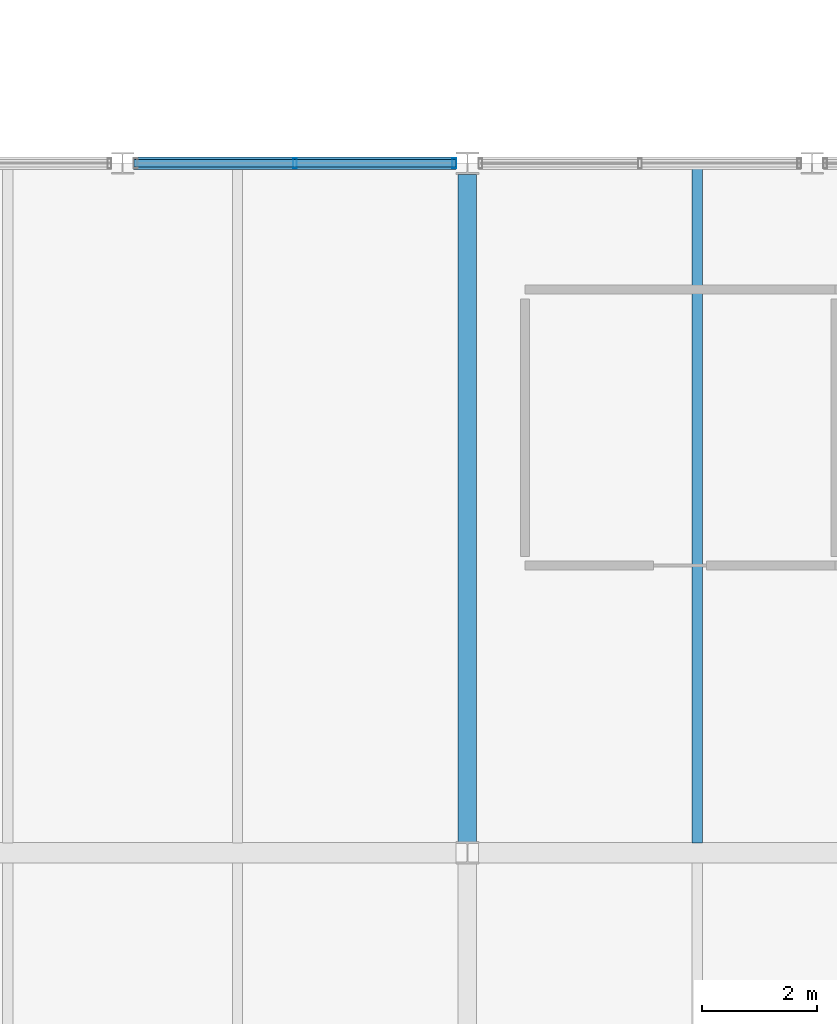
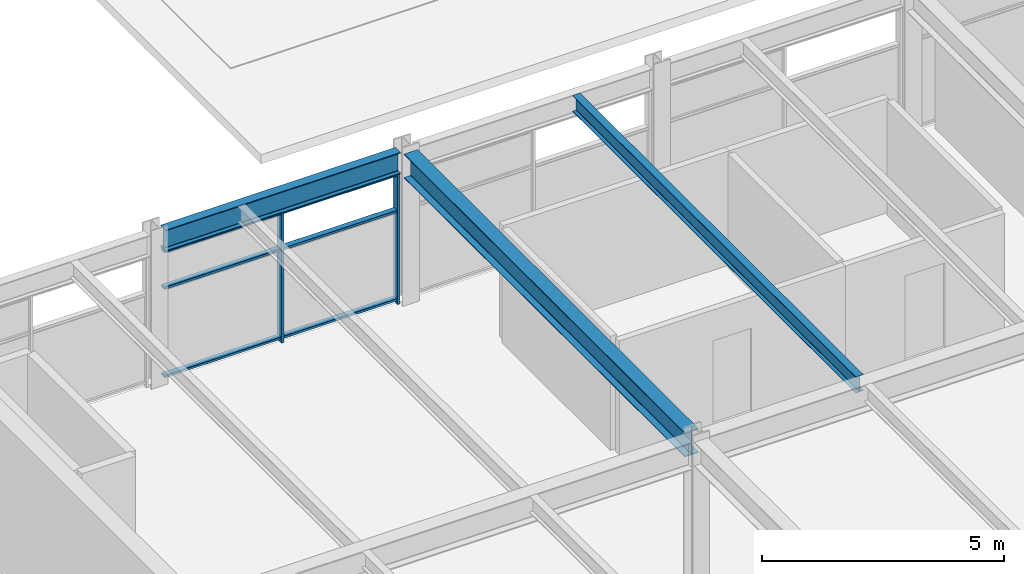
# One storey, part 22 of 49: 5 members, 3 beams, 1 element without a shape of its own.
"""IFC4 building model written with IfcOpenShell, lengths in metres."""

from ifc_helpers import new_model, si_unit, direction, frame, origin, origin_2d, place, context, subcontext, project, spatial, hollow_rectangle, i_section, extrude, material, material_profile, profile_set, type_object, element, aggregate, save


model = new_model("IFC4")

# Units and contexts
model_context = context("Model", 3, precision=1e-05, world=origin(), true_north=direction((0.0, 1.0)))
body_context = subcontext(model_context, "Body", "Model", "MODEL_VIEW")
ifc_project = project(units=[si_unit("LENGTHUNIT", "METRE"), si_unit("AREAUNIT", "SQUARE_METRE"), si_unit("VOLUMEUNIT", "CUBIC_METRE"), si_unit("PLANEANGLEUNIT", "RADIAN"), si_unit("MASSUNIT", "GRAM", prefix="KILO")], contexts=[model_context])

# Site, building, storey
site_placement = place(None, origin())
site = spatial("IfcSite", under=ifc_project, at=site_placement, CompositionType="ELEMENT")
building_placement = place(site_placement, origin())
building = spatial("IfcBuilding", under=site, at=building_placement, Name="Girod Span Mobility Hub", CompositionType="ELEMENT")
storey_placement = place(building_placement, frame((0.0, 0.0, 37.60009765625)))
storey = spatial("IfcBuildingStorey", under=building, at=storey_placement, Name="L09", CompositionType="ELEMENT", Elevation=37.60009765625)

# Beams
ifc_material_1 = material(Name="Steel A992 Grade 50", Category="steel")
ifc_material_profile_1 = material_profile(ifc_material_1, i_section(OverallWidth=0.178955078125, OverallDepth=0.409912109375, WebThickness=0.0087890625, FlangeThickness=0.014404296875, FilletRadius=0.012939453125, at=origin_2d()), Name="W16X45")
ifc_profile_set_1 = profile_set([ifc_material_profile_1], Name="Steel A992 Grade 50")
beam_type_1 = type_object("IfcBeamType", Name="BM-STL-W16X45", PredefinedType="BEAM", material=ifc_profile_set_1)
beam_1_placement = place(storey_placement, frame((76.0, 57.174560546875, 3.6298828125), z_axis=(0.0, 1.0, 0.0), x_axis=(-1.0, 0.0, 0.0)))
element("IfcBeam", 1, at=beam_1_placement, inside=storey, type_object=beam_type_1, Name="Composite Floorbeam 7/E-1 L09", PredefinedType="BEAM", context=body_context, shape_type="SweptSolid", body=[
    extrude(i_section(OverallWidth=0.178955078125, OverallDepth=0.409912109375, WebThickness=0.0087890625, FlangeThickness=0.014404296875, FilletRadius=0.012939453125, at=origin_2d()), origin(), (0.0, 0.0, 1.0), 11.722412109375),
])
ifc_material_2 = material(Name="Steel A992 Grade 50", Category="steel")
ifc_material_profile_2 = material_profile(ifc_material_2, i_section(OverallWidth=0.2119140625, OverallDepth=0.5439453125, WebThickness=0.01318359375, FlangeThickness=0.021240234375, FilletRadius=0.014892578125, at=origin_2d()), Name="W21X83")
ifc_profile_set_2 = profile_set([ifc_material_profile_2], Name="Steel A992 Grade 50")
beam_type_2 = type_object("IfcBeamType", Name="BM-STL-W21X83", PredefinedType="SPANDREL", material=ifc_profile_set_2)
beam_2_placement = place(storey_placement, frame((66.194091796875, 69.0, 3.56298828125), z_axis=(1.0, 0.0, 0.0), x_axis=(0.0, 1.0, 0.0)))
element("IfcBeam", 2, at=beam_2_placement, inside=storey, type_object=beam_type_2, Name="Spandrel Beam 6-7/F-E L09", PredefinedType="SPANDREL", context=body_context, shape_type="SweptSolid", body=[
    extrude(i_section(OverallWidth=0.2119140625, OverallDepth=0.5439453125, WebThickness=0.01318359375, FlangeThickness=0.021240234375, FilletRadius=0.014892578125, at=origin_2d()), origin(), (0.0, 0.0, 1.0), 5.609375),
])
ifc_material_3 = material(Name="Steel A992 Grade 50", Category="steel")
ifc_material_profile_3 = material_profile(ifc_material_3, i_section(OverallWidth=0.323974609375, OverallDepth=0.611083984375, WebThickness=0.0126953125, FlangeThickness=0.01904296875, FilletRadius=0.014892578125, at=origin_2d()), Name="W24X104")
ifc_profile_set_3 = profile_set([ifc_material_profile_3], Name="Steel A992 Grade 50")
beam_type_3 = type_object("IfcBeamType", Name="BM-STL-W24X104", PredefinedType="BEAM", material=ifc_profile_set_3)
beam_3_placement = place(storey_placement, frame((72.0, 57.193603515625, 3.529296875), z_axis=(0.0, 1.0, 0.0), x_axis=(-1.0, 0.0, 0.0)))
element("IfcBeam", 3, at=beam_3_placement, inside=storey, type_object=beam_type_3, Name="Tie Girder 7/E-F L09", PredefinedType="BEAM", context=body_context, shape_type="SweptSolid", body=[
    extrude(i_section(OverallWidth=0.323974609375, OverallDepth=0.611083984375, WebThickness=0.0126953125, FlangeThickness=0.01904296875, FilletRadius=0.014892578125, at=origin_2d()), origin(), (0.0, 0.0, 1.0), 11.61279296875),
])

# Curtain wall, members
ifc_material_4 = material(Name="Thermally Broken Anodised Aluminium", Category="aluminium")
curtain_wall_type = type_object("IfcCurtainWallType", Name="CW-561X329", PredefinedType="USERDEFINED", material=ifc_material_4)
curtain_wall_placement = place(storey_placement, origin())
curtain_wall = element("IfcCurtainWall", 4, at=curtain_wall_placement, inside=storey, type_object=curtain_wall_type, Name="Unitised Curtain Wall CW-L09-N06E L09", ObjectType="UNITISED CURTAIN WALL", PredefinedType="USERDEFINED")
ifc_material_5 = material(Name="Thermally Broken Anodised Aluminium", Category="aluminium")
ifc_material_profile_4 = material_profile(ifc_material_5, hollow_rectangle(XDim=0.179931640625, YDim=0.06494140625, WallThickness=0.00390625, InnerFilletRadius=0.00390625, OuterFilletRadius=0.008056640625, at=origin_2d()), Name="CW-ML-65X180")
ifc_profile_set_4 = profile_set([ifc_material_profile_4], Name="Thermally Broken Anodised Aluminium")
member_type_1 = type_object("IfcMemberType", Name="CWM-ML-2", PredefinedType="MULLION", material=ifc_profile_set_4)
member_1_placement = place(storey_placement, frame((68.998779296875, 69.0, 0.0), z_axis=(0.0, 0.0, 1.0), x_axis=(0.0, 1.0, 0.0)))
member_1 = element("IfcMember", 5, at=member_1_placement, type_object=member_type_1, Name="Curtain Wall Mullion CW-L09-N06E-M1", PredefinedType="MULLION", context=body_context, shape_type="SweptSolid", body=[
    extrude(hollow_rectangle(XDim=0.179931640625, YDim=0.06494140625, WallThickness=0.00390625, InnerFilletRadius=0.00390625, OuterFilletRadius=0.008056640625, at=origin_2d()), origin(), (0.0, 0.0, 1.0), 3.291015625),
])
member_2_placement = place(storey_placement, frame((71.7705078125, 69.0, 0.0), z_axis=(0.0, 0.0, 1.0), x_axis=(0.0, 1.0, 0.0)))
member_2 = element("IfcMember", 6, at=member_2_placement, type_object=member_type_1, Name="Curtain Wall Mullion CW-L09-N06E-M2", PredefinedType="MULLION", context=body_context, shape_type="SweptSolid", body=[
    extrude(hollow_rectangle(XDim=0.179931640625, YDim=0.06494140625, WallThickness=0.00390625, InnerFilletRadius=0.00390625, OuterFilletRadius=0.008056640625, at=origin_2d()), origin(), (0.0, 0.0, 1.0), 3.291015625),
])
ifc_material_6 = material(Name="Thermally Broken Anodised Aluminium", Category="aluminium")
ifc_material_profile_5 = material_profile(ifc_material_6, hollow_rectangle(XDim=0.135009765625, YDim=0.06494140625, WallThickness=0.00390625, InnerFilletRadius=0.00390625, OuterFilletRadius=0.008056640625, at=origin_2d()), Name="CW-TR-65X135")
ifc_profile_set_5 = profile_set([ifc_material_profile_5], Name="Thermally Broken Anodised Aluminium")
member_type_2 = type_object("IfcMemberType", Name="CWM-TR-2", PredefinedType="USERDEFINED", material=ifc_profile_set_5)
member_3_placement = place(storey_placement, frame((66.195068359375, 69.0, 0.107421875), z_axis=(1.0, 0.0, 0.0), x_axis=(0.0, 1.0, 0.0)))
member_3 = element("IfcMember", 7, at=member_3_placement, type_object=member_type_2, Name="Curtain Wall Transom CW-L09-N06E-T1", ObjectType="TRANSOM", PredefinedType="USERDEFINED", context=body_context, shape_type="SweptSolid", body=[
    extrude(hollow_rectangle(XDim=0.135009765625, YDim=0.06494140625, WallThickness=0.00390625, InnerFilletRadius=0.00390625, OuterFilletRadius=0.008056640625, at=origin_2d()), origin(), (0.0, 0.0, 1.0), 5.607421875),
])
member_4_placement = place(storey_placement, frame((66.195068359375, 69.0, 2.3369140625), z_axis=(1.0, 0.0, 0.0), x_axis=(0.0, 1.0, 0.0)))
member_4 = element("IfcMember", 8, at=member_4_placement, type_object=member_type_2, Name="Curtain Wall Transom CW-L09-N06E-T2", ObjectType="TRANSOM", PredefinedType="USERDEFINED", context=body_context, shape_type="SweptSolid", body=[
    extrude(hollow_rectangle(XDim=0.135009765625, YDim=0.06494140625, WallThickness=0.00390625, InnerFilletRadius=0.00390625, OuterFilletRadius=0.008056640625, at=origin_2d()), origin(), (0.0, 0.0, 1.0), 5.607421875),
])
member_5_placement = place(storey_placement, frame((66.195068359375, 69.0, 3.25830078125), z_axis=(1.0, 0.0, 0.0), x_axis=(0.0, 1.0, 0.0)))
member_5 = element("IfcMember", 9, at=member_5_placement, type_object=member_type_2, Name="Curtain Wall Transom CW-L09-N06E-T3", ObjectType="TRANSOM", PredefinedType="USERDEFINED", context=body_context, shape_type="SweptSolid", body=[
    extrude(hollow_rectangle(XDim=0.135009765625, YDim=0.06494140625, WallThickness=0.00390625, InnerFilletRadius=0.00390625, OuterFilletRadius=0.008056640625, at=origin_2d()), origin(), (0.0, 0.0, 1.0), 5.607421875),
])
aggregate(curtain_wall, [member_1, member_2, member_3, member_4, member_5])

save(model, "model.ifc")
